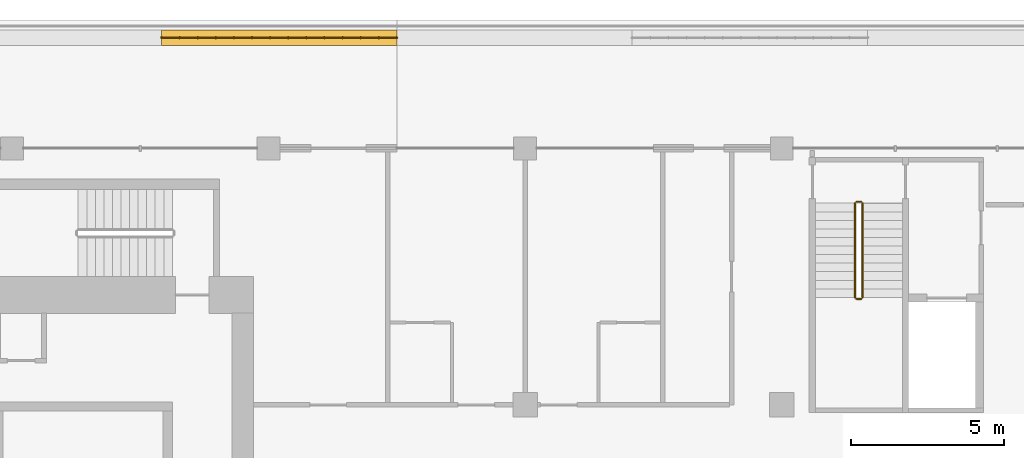
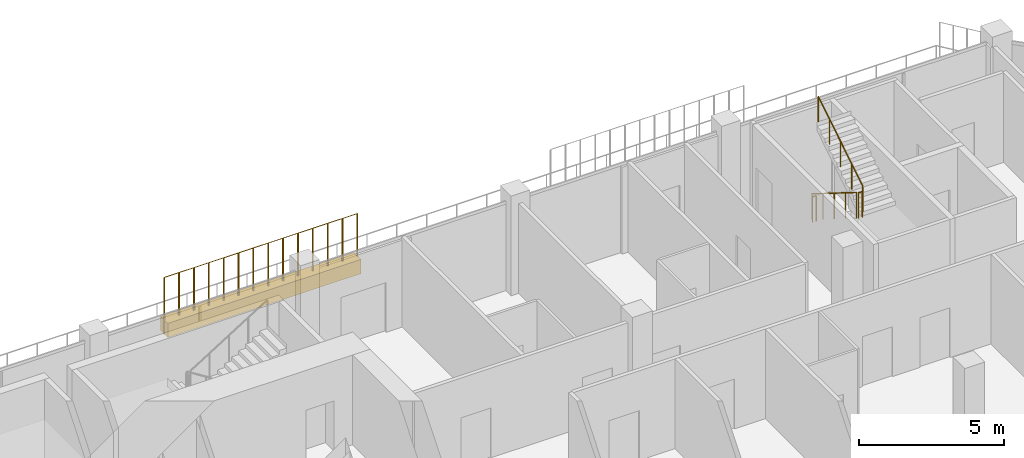
# One storey, part 19 of 20: 5 railings, 1 covering.
"""IFC4 building model written with IfcOpenShell, lengths in metres."""

import ifcopenshell
import ifcopenshell.guid

model = None  # the IFC model being written
_history = None  # IfcOwnerHistory: only IFC2X3 demands one
_inside = {}  # id of a spatial element -> (the spatial element, [elements in it])
_under = {}  # id of a project, library or spatial element -> (it, [spatial elements below it])
_declared = {}  # id of a project -> (the project, [libraries it declares])
_typed = {}  # id of a type object -> (the type object, [elements of that type])
_made_of = {}  # id of a material, layer set ... -> (it, [elements and type objects made of it])


def new_model(schema):
    """Start an empty IFC model of exactly this schema.

    Asked for "IFC4X3", IfcOpenShell would pick the latest addendum, in which some entities
    have other attributes; the version numbers below select the first issue.
    IFC2X3 requires an IfcOwnerHistory on every rooted entity: one is made here for all.
    """
    global model, _history
    if schema == "IFC4X3":
        model = ifcopenshell.file(schema_version=(4, 3, 0, 0))
    else:
        model = ifcopenshell.file(schema=schema)
    _inside.clear()
    _under.clear()
    _declared.clear()
    _typed.clear()
    _made_of.clear()
    _history = None
    if model.schema == "IFC2X3":
        org = make("IfcOrganization", Name="unknown")
        user = make(
            "IfcPersonAndOrganization",
            ThePerson=make("IfcPerson", FamilyName="unknown"),
            TheOrganization=org,
        )
        app = make(
            "IfcApplication",
            ApplicationDeveloper=org,
            Version="unknown",
            ApplicationFullName="unknown",
            ApplicationIdentifier="unknown",
        )
        _history = make(
            "IfcOwnerHistory",
            OwningUser=user,
            OwningApplication=app,
            ChangeAction="ADDED",
            CreationDate=0,
        )
    return model


def make(cls, **values):
    """One entity of the class cls with the attributes given. An attribute that is None is left unset."""
    return model.create_entity(
        cls, **{name: value for name, value in values.items() if value is not None}
    )


def rooted(cls, **values):
    """An entity with a GlobalId (a new one), such as an element, a storey or a relation."""
    return make(cls, GlobalId=ifcopenshell.guid.new(), OwnerHistory=_history, **values)


def si_unit(unit_type, name, prefix=None):
    """IfcSIUnit, for example si_unit("LENGTHUNIT", "METRE", prefix="MILLI")."""
    return make("IfcSIUnit", UnitType=unit_type, Prefix=prefix, Name=name)


def assignment(units):
    """IfcUnitAssignment: the units of a project."""
    return None if units is None else make("IfcUnitAssignment", Units=units)


def point(xyz):
    """IfcCartesianPoint."""
    return None if xyz is None else make("IfcCartesianPoint", Coordinates=xyz)


def direction(xyz):
    """IfcDirection."""
    return None if xyz is None else make("IfcDirection", DirectionRatios=xyz)


def frame(location, z_axis=None, x_axis=None):
    """IfcAxis2Placement3D, a coordinate frame: its origin and axes. An axis left out is left unset."""
    return make(
        "IfcAxis2Placement3D",
        Location=point(location),
        Axis=direction(z_axis),
        RefDirection=direction(x_axis),
    )


def frame_2d(location, x_axis=None):
    """IfcAxis2Placement2D, a coordinate frame in the plane: its origin and x axis."""
    return make(
        "IfcAxis2Placement2D", Location=point(location), RefDirection=direction(x_axis)
    )


def origin():
    """The frame at (0, 0, 0) with its axes left unset."""
    return frame((0.0, 0.0, 0.0))


def origin_2d():
    """The frame at (0, 0) in the plane with its x axis left unset."""
    return frame_2d((0.0, 0.0))


def place(relative_to, where):
    """IfcLocalPlacement: puts the frame where relative to a parent placement (None: the world)."""
    return make(
        "IfcLocalPlacement", PlacementRelTo=relative_to, RelativePlacement=where
    )


def context(
    kind, dimensions, precision=None, world=None, true_north=None, identifier=None
):
    """IfcGeometricRepresentationContext, for example the 3D "Model" context."""
    return make(
        "IfcGeometricRepresentationContext",
        ContextIdentifier=identifier,
        ContextType=kind,
        CoordinateSpaceDimension=dimensions,
        Precision=precision,
        WorldCoordinateSystem=world,
        TrueNorth=true_north,
    )


def subcontext(parent, identifier, kind, view, scale=None):
    """IfcGeometricRepresentationSubContext, for example "Body" below "Model"."""
    return make(
        "IfcGeometricRepresentationSubContext",
        ContextIdentifier=identifier,
        ContextType=kind,
        ParentContext=parent,
        TargetScale=scale,
        TargetView=view,
    )


def project(units=None, contexts=None):
    """IfcProject with its units and contexts."""
    return rooted(
        "IfcProject",
        Name="project",
        RepresentationContexts=contexts,
        UnitsInContext=assignment(units),
    )


def spatial(cls, under=None, at=None, **own):
    """A site, building, storey or space (cls), placed at a placement, below another one or the project."""
    s = rooted(cls, ObjectPlacement=at, **own)
    if under is not None:
        _under.setdefault(under.id(), (under, []))[1].append(s)
    return s


def profile(cls, at=None, kind="AREA", **sizes):
    """A parametric profile (cls). Its sizes go by their IFC names, for example OverallWidth=200.0."""
    return make(cls, ProfileType=kind, Position=at, **sizes)


def rectangle(**sizes):
    """IfcRectangleProfileDef."""
    return profile("IfcRectangleProfileDef", **sizes)


def circle(**sizes):
    """IfcCircleProfileDef."""
    return profile("IfcCircleProfileDef", **sizes)


def extrude(swept, where, along, depth):
    """IfcExtrudedAreaSolid: the profile swept, set in the frame where, extruded along a direction by depth."""
    return make(
        "IfcExtrudedAreaSolid",
        SweptArea=swept,
        Position=where,
        ExtrudedDirection=direction(along),
        Depth=depth,
    )


def shape(context_of_items, identifier, shape_type, items):
    """IfcShapeRepresentation: the items that make up one representation, for example the "Body"."""
    return make(
        "IfcShapeRepresentation",
        ContextOfItems=context_of_items,
        RepresentationIdentifier=identifier,
        RepresentationType=shape_type,
        Items=items,
    )


def material(Name=None, Category=None):
    """IfcMaterial."""
    return make("IfcMaterial", Name=Name, Category=Category)


def material_profile(
    of_material, cross_section, Name=None, Category=None, Priority=None
):
    """IfcMaterialProfile: a cross section and its material."""
    return make(
        "IfcMaterialProfile",
        Name=Name,
        Material=of_material,
        Profile=cross_section,
        Priority=Priority,
        Category=Category,
    )


def profile_set(profiles, Name=None, composite=None):
    """IfcMaterialProfileSet."""
    return make(
        "IfcMaterialProfileSet",
        Name=Name,
        MaterialProfiles=profiles,
        CompositeProfile=composite,
    )


def made_of(thing, what):
    """Note that an element or type object is made of a material, layer set ...; save() writes the relation."""
    if what is not None:
        _made_of.setdefault(what.id(), (what, []))[1].append(thing)
    return thing


def type_object(cls, material=None, **own):
    """A type object (cls), such as IfcWallType, which elements share."""
    return made_of(rooted(cls, **own), material)


def element(
    cls,
    number,
    at=None,
    inside=None,
    cuts=None,
    type_object=None,
    material=None,
    context=None,
    identifier="Body",
    shape_type=None,
    held_by="IfcProductDefinitionShape",
    body=None,
    shapes=None,
    **own,
):
    """One element of the class cls, such as IfcWall. Its Tag is "e" and its number.

    at: its placement. inside: the storey or other place that contains it. cuts: it is an
    opening in that element (IfcRelVoidsElement). A single representation is given by context,
    identifier, shape_type and body (its items); several are given by shapes. held_by: the class
    of the entity that holds the representations. save() writes the other relations.
    """
    e = rooted(cls, Tag="e%d" % number, ObjectPlacement=at, **own)
    if body is not None:
        shapes = [shape(context, identifier, shape_type, body)]
    if shapes is not None:
        e.Representation = make(held_by, Representations=shapes)
    if inside is not None:
        _inside.setdefault(inside.id(), (inside, []))[1].append(e)
    if cuts is not None:
        rooted(
            "IfcRelVoidsElement", RelatingBuildingElement=cuts, RelatedOpeningElement=e
        )
    if type_object is not None:
        _typed.setdefault(type_object.id(), (type_object, []))[1].append(e)
    return made_of(e, material)


def aggregate(whole, parts):
    """IfcRelAggregates: a whole, such as a stair, and the parts it consists of."""
    return rooted("IfcRelAggregates", RelatingObject=whole, RelatedObjects=parts)


def save(model, path):
    """Write the relations noted so far, then the file.

    IfcRelAggregates (storeys below a building ...), IfcRelContainedInSpatialStructure (elements
    in a storey), IfcRelDefinesByType, IfcRelAssociatesMaterial and IfcRelDeclares: one each for
    every whole, place, type object, material and project.
    """
    for whole, parts in _under.values():
        aggregate(whole, parts)
    for where, things in _inside.values():
        rooted(
            "IfcRelContainedInSpatialStructure",
            RelatedElements=things,
            RelatingStructure=where,
        )
    for kind, things in _typed.values():
        rooted("IfcRelDefinesByType", RelatedObjects=things, RelatingType=kind)
    for what, things in _made_of.values():
        rooted("IfcRelAssociatesMaterial", RelatedObjects=things, RelatingMaterial=what)
    for by, libraries in _declared.values():
        rooted("IfcRelDeclares", RelatingContext=by, RelatedDefinitions=libraries)
    model.write(path)


model = new_model("IFC4")

# Units and contexts
model_context = context("Model", 3, precision=1e-05, world=origin(), true_north=direction((0.0, 1.0)))
body_context = subcontext(model_context, "Body", "Model", "MODEL_VIEW")
ifc_project = project(units=[si_unit("LENGTHUNIT", "METRE"), si_unit("AREAUNIT", "SQUARE_METRE"), si_unit("VOLUMEUNIT", "CUBIC_METRE"), si_unit("PLANEANGLEUNIT", "RADIAN"), si_unit("MASSUNIT", "GRAM", prefix="KILO")], contexts=[model_context])

# Site, building, storey
site_placement = place(None, origin())
site = spatial("IfcSite", under=ifc_project, at=site_placement, CompositionType="ELEMENT")
building_placement = place(site_placement, origin())
building = spatial("IfcBuilding", under=site, at=building_placement, Name="Kawkab Arch Medical Tower", CompositionType="ELEMENT")
storey_placement = place(building_placement, frame((0.0, 0.0, 328.0)))
storey = spatial("IfcBuildingStorey", under=building, at=storey_placement, Name="L76", CompositionType="ELEMENT", Elevation=328.0)

# Covering
ifc_material_1 = material(Name="Planting soil in a precast trough", Category="concrete")
ifc_material_profile = material_profile(ifc_material_1, rectangle(XDim=0.5, YDim=0.60009765625, at=origin_2d()), Name="Trough 500x600")
ifc_profile_set = profile_set([ifc_material_profile], Name="Planting soil in a precast trough")
covering_type = type_object("IfcCoveringType", Name="Planter trough 500 x 600", PredefinedType="USERDEFINED", material=ifc_profile_set)
covering_placement = place(storey_placement, frame((21.695068359375, 3.6201171875, 0.300048828125), z_axis=(1.0, 0.0, 0.0), x_axis=(0.0, 1.0, 0.0)))
element("IfcCovering", 1, at=covering_placement, inside=storey, type_object=covering_type, Name="Planter L76.LOG-01-01.15", ObjectType="PLANTER", PredefinedType="USERDEFINED", context=body_context, shape_type="SweptSolid", body=[
    extrude(rectangle(XDim=0.5, YDim=0.60009765625, at=origin_2d()), origin(), (0.0, 0.0, 1.0), 7.704833984375),
])

# Railings
ifc_material_2 = material(Name="Bronze anodised aluminium trellis for climbing plants", Category="aluminium")
railing_type_1 = type_object("IfcRailingType", Name="Planting trellis 2400", PredefinedType="USERDEFINED", material=ifc_material_2)
railing_1_placement = place(storey_placement, frame((21.695068359375, 3.6201171875, 0.0)))
element("IfcRailing", 2, at=railing_1_placement, inside=storey, type_object=railing_type_1, Name="Planting trellis L76.LOG-01-01.15", ObjectType="TRELLIS", PredefinedType="USERDEFINED", context=body_context, shape_type="SweptSolid", body=[
    extrude(circle(Radius=0.01513671875, at=origin_2d()), frame((0.0, 0.0, 2.384765625), z_axis=(1.0, 0.0, 0.0), x_axis=(0.0, 1.0, 0.0)), (0.0, 0.0, 1.0), 7.704833984375),
    extrude(circle(Radius=0.030029296875, at=origin_2d()), origin(), (0.0, 0.0, 1.0), 2.369873046875),
    extrude(circle(Radius=0.030029296875, at=origin_2d()), frame((0.5927734375, 0.0, 0.0)), (0.0, 0.0, 1.0), 2.369873046875),
    extrude(circle(Radius=0.030029296875, at=origin_2d()), frame((1.185302734375, 0.0, 0.0)), (0.0, 0.0, 1.0), 2.369873046875),
    extrude(circle(Radius=0.030029296875, at=origin_2d()), frame((1.778076171875, 0.0, 0.0)), (0.0, 0.0, 1.0), 2.369873046875),
    extrude(circle(Radius=0.030029296875, at=origin_2d()), frame((2.37060546875, 0.0, 0.0)), (0.0, 0.0, 1.0), 2.369873046875),
    extrude(circle(Radius=0.030029296875, at=origin_2d()), frame((2.96337890625, 0.0, 0.0)), (0.0, 0.0, 1.0), 2.369873046875),
    extrude(circle(Radius=0.030029296875, at=origin_2d()), frame((3.55615234375, 0.0, 0.0)), (0.0, 0.0, 1.0), 2.369873046875),
    extrude(circle(Radius=0.030029296875, at=origin_2d()), frame((4.148681640625, 0.0, 0.0)), (0.0, 0.0, 1.0), 2.369873046875),
    extrude(circle(Radius=0.030029296875, at=origin_2d()), frame((4.741455078125, 0.0, 0.0)), (0.0, 0.0, 1.0), 2.369873046875),
    extrude(circle(Radius=0.030029296875, at=origin_2d()), frame((5.334228515625, 0.0, 0.0)), (0.0, 0.0, 1.0), 2.369873046875),
    extrude(circle(Radius=0.030029296875, at=origin_2d()), frame((5.9267578125, 0.0, 0.0)), (0.0, 0.0, 1.0), 2.369873046875),
    extrude(circle(Radius=0.030029296875, at=origin_2d()), frame((6.51953125, 0.0, 0.0)), (0.0, 0.0, 1.0), 2.369873046875),
    extrude(circle(Radius=0.030029296875, at=origin_2d()), frame((7.112060546875, 0.0, 0.0)), (0.0, 0.0, 1.0), 2.369873046875),
    extrude(circle(Radius=0.030029296875, at=origin_2d()), frame((7.704833984375, 0.0, 0.0)), (0.0, 0.0, 1.0), 2.369873046875),
])
ifc_material_3 = material(Name="Stainless steel", Category="steel")
railing_type_2 = type_object("IfcRailingType", Name="Stair guard 1100", PredefinedType="GUARDRAIL", material=ifc_material_3)
railing_2_placement = place(storey_placement, frame((44.39990234375, -1.800048828125, 0.175048828125)))
element("IfcRailing", 3, at=railing_2_placement, inside=storey, type_object=railing_type_2, Name="L76 ST5 stair guard 1", PredefinedType="GUARDRAIL", context=body_context, shape_type="SweptSolid", body=[
    extrude(circle(Radius=0.02392578125, at=origin_2d()), frame((0.0, 0.0, 1.076171875), z_axis=(0.0, -0.847979421464, 0.530029150871), x_axis=(1.0, 0.0, 0.0)), (0.0, 0.0, 1.0), 3.632080078125),
    extrude(circle(Radius=0.02099609375, at=origin_2d()), origin(), (0.0, 0.0, 1.0), 1.052001953125),
    extrude(circle(Radius=0.02099609375, at=origin_2d()), frame((0.0, -0.77001953125, 0.481201171875)), (0.0, 0.0, 1.0), 1.052001953125),
    extrude(circle(Radius=0.02099609375, at=origin_2d()), frame((0.0, -1.5400390625, 0.96240234375)), (0.0, 0.0, 1.0), 1.052001953125),
    extrude(circle(Radius=0.02099609375, at=origin_2d()), frame((0.0, -2.309814453125, 1.44384765625)), (0.0, 0.0, 1.0), 1.052001953125),
    extrude(circle(Radius=0.02099609375, at=origin_2d()), frame((0.0, -3.079833984375, 1.925048828125)), (0.0, 0.0, 1.0), 1.052001953125),
])
railing_3_placement = place(storey_placement, frame((44.449951171875, -4.929931640625, 2.10009765625)))
element("IfcRailing", 4, at=railing_3_placement, inside=storey, type_object=railing_type_2, Name="L76 ST5 stair guard 2", PredefinedType="GUARDRAIL", context=body_context, shape_type="SweptSolid", body=[
    extrude(circle(Radius=0.02392578125, at=origin_2d()), frame((0.0, 0.0, 1.076171875), z_axis=(1.0, 0.0, 0.0), x_axis=(0.0, 1.0, 0.0)), (0.0, 0.0, 1.0), 0.150146484375),
    extrude(circle(Radius=0.02099609375, at=origin_2d()), origin(), (0.0, 0.0, 1.0), 1.052001953125),
    extrude(circle(Radius=0.02099609375, at=origin_2d()), frame((0.150146484375, 0.0, 0.0)), (0.0, 0.0, 1.0), 1.052001953125),
])
railing_4_placement = place(storey_placement, frame((44.64990234375, -4.8798828125, 2.27490234375)))
element("IfcRailing", 5, at=railing_4_placement, inside=storey, type_object=railing_type_2, Name="L76 ST5 stair guard 3", PredefinedType="GUARDRAIL", context=body_context, shape_type="SweptSolid", body=[
    extrude(circle(Radius=0.02392578125, at=origin_2d()), frame((0.0, 0.0, 1.076171875), z_axis=(0.0, 0.847979421464, 0.530029150871), x_axis=(-1.0, 0.0, 0.0)), (0.0, 0.0, 1.0), 3.632080078125),
    extrude(circle(Radius=0.02099609375, at=origin_2d()), origin(), (0.0, 0.0, 1.0), 1.052001953125),
    extrude(circle(Radius=0.02099609375, at=origin_2d()), frame((0.0, 0.77001953125, 0.481201171875)), (0.0, 0.0, 1.0), 1.052001953125),
    extrude(circle(Radius=0.02099609375, at=origin_2d()), frame((0.0, 1.5400390625, 0.96240234375)), (0.0, 0.0, 1.0), 1.052001953125),
    extrude(circle(Radius=0.02099609375, at=origin_2d()), frame((0.0, 2.309814453125, 1.44384765625)), (0.0, 0.0, 1.0), 1.052001953125),
    extrude(circle(Radius=0.02099609375, at=origin_2d()), frame((0.0, 3.079833984375, 1.925048828125)), (0.0, 0.0, 1.0), 1.052001953125),
])
railing_5_placement = place(storey_placement, frame((44.449951171875, -1.75, 0.0)))
element("IfcRailing", 6, at=railing_5_placement, inside=storey, type_object=railing_type_2, Name="L76 ST5 stair guard 4", PredefinedType="GUARDRAIL", context=body_context, shape_type="SweptSolid", body=[
    extrude(circle(Radius=0.02392578125, at=origin_2d()), frame((0.0, 0.0, 1.076171875), z_axis=(1.0, 0.0, 0.0), x_axis=(0.0, 1.0, 0.0)), (0.0, 0.0, 1.0), 0.150146484375),
    extrude(circle(Radius=0.02099609375, at=origin_2d()), origin(), (0.0, 0.0, 1.0), 1.052001953125),
    extrude(circle(Radius=0.02099609375, at=origin_2d()), frame((0.150146484375, 0.0, 0.0)), (0.0, 0.0, 1.0), 1.052001953125),
])

save(model, "model.ifc")
